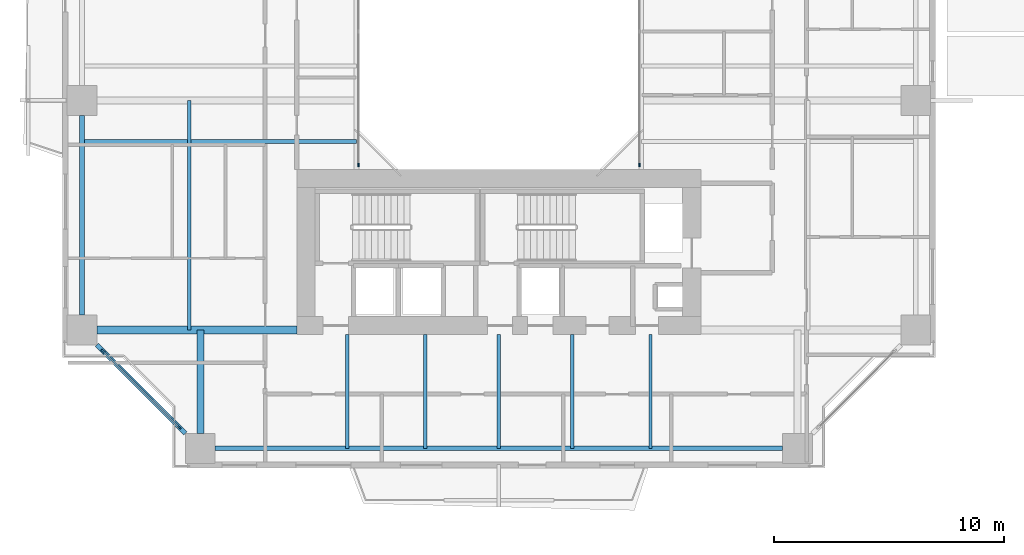
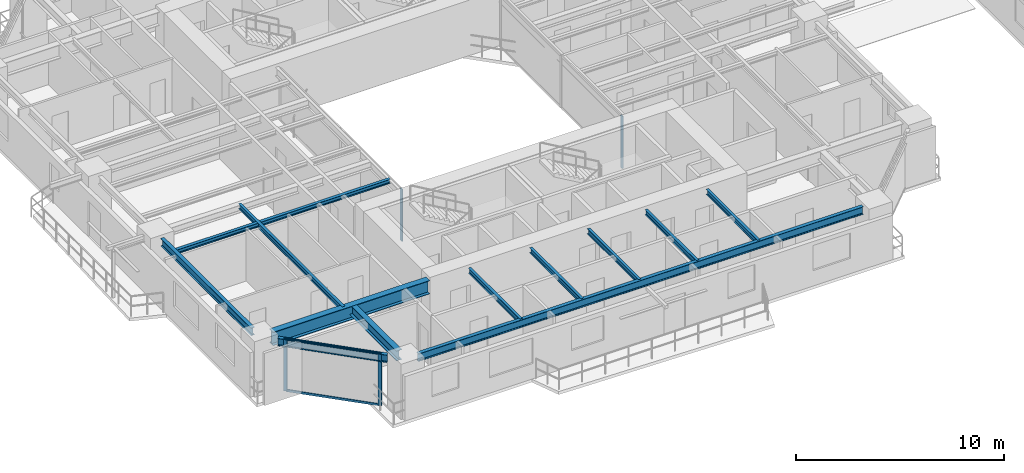
# One storey, part 2 of 23: 12 beams, 6 members, 3 elements without a shape of their own.
"""IFC4 building model written with IfcOpenShell, lengths in metres."""

from ifc_helpers import new_model, si_unit, direction, frame, origin, origin_2d, place, context, subcontext, project, spatial, rectangle, i_section, extrude, source, transform, mapped, material, layer, layer_set, material_profile, profile_set, type_object, element, aggregate, save


model = new_model("IFC4")

# Units and contexts
model_context = context("Model", 3, precision=1e-05, world=origin(), true_north=direction((0.0, 1.0)))
body_context = subcontext(model_context, "Body", "Model", "MODEL_VIEW")
ifc_project = project(units=[si_unit("LENGTHUNIT", "METRE"), si_unit("AREAUNIT", "SQUARE_METRE"), si_unit("VOLUMEUNIT", "CUBIC_METRE"), si_unit("PLANEANGLEUNIT", "RADIAN"), si_unit("MASSUNIT", "GRAM", prefix="KILO"), si_unit("THERMODYNAMICTEMPERATUREUNIT", "KELVIN"), si_unit("POWERUNIT", "WATT")], contexts=[model_context])

# Site, building, storey
site_placement = place(None, origin())
site = spatial("IfcSite", under=ifc_project, at=site_placement, CompositionType="ELEMENT")
building_placement = place(site_placement, origin())
building = spatial("IfcBuilding", under=site, at=building_placement, Name="Qiaomeng Ring Towers", CompositionType="ELEMENT")
storey_placement = place(building_placement, frame((0.0, 0.0, 50.25)))
storey = spatial("IfcBuildingStorey", under=building, at=storey_placement, Name="L13", CompositionType="ELEMENT", Elevation=50.25)

# Beams
ifc_material_1 = material(Name="Steel Q355B", Category="steel")
ifc_material_profile_1 = material_profile(ifc_material_1, i_section(OverallWidth=0.199951171875, OverallDepth=0.449951171875, WebThickness=0.009033203125, FlangeThickness=0.013916015625, FilletRadius=0.01806640625, at=origin_2d()), Name="HN 450x200x9x14")
ifc_profile_set_1 = profile_set([ifc_material_profile_1], Name="Steel Q355B")
beam_type_1 = type_object("IfcBeamType", Name="STR-BM-HN450", PredefinedType="SPANDREL", material=ifc_profile_set_1)
shared_shape_1 = source(origin(), body_context, "Body", "SweptSolid", [
    extrude(i_section(OverallWidth=0.199951171875, OverallDepth=0.449951171875, WebThickness=0.009033203125, FlangeThickness=0.013916015625, FilletRadius=0.01806640625, at=origin_2d()), origin(), (0.0, 0.0, 1.0), 24.7021484375),
])
beam_1_placement = place(storey_placement, frame((6.64892578125, 4.85009765625, 2.844970703125), z_axis=(1.0, 0.0, 0.0), x_axis=(0.0, 1.0, 0.0)))
element("IfcBeam", 1, at=beam_1_placement, inside=storey, type_object=beam_type_1, Name="L13 beam STR-SP-L13-T1-S1-S2", PredefinedType="SPANDREL", context=body_context, shape_type="MappedRepresentation", body=[
    mapped(shared_shape_1, transform((0.0, 0.0, 0.0), x_axis=(1.0, 0.0, 0.0), y_axis=(0.0, 1.0, 0.0), z_axis=(0.0, 0.0, 1.0), scale=1.0)),
])
shared_shape_2 = source(origin(), body_context, "Body", "SweptSolid", [
    extrude(i_section(OverallWidth=0.199951171875, OverallDepth=0.449951171875, WebThickness=0.009033203125, FlangeThickness=0.013916015625, FilletRadius=0.01806640625, at=origin_2d()), origin(), (0.0, 0.0, 1.0), 5.446533203125),
])
beam_2_placement = place(storey_placement, frame((1.499267578125, 9.3505859375, 2.844970703125), z_axis=(0.707106781187, -0.707106781187, 0.0), x_axis=(0.707106781187, 0.707106781187, 0.0)))
element("IfcBeam", 2, at=beam_2_placement, inside=storey, type_object=beam_type_1, Name="L13 beam STR-SP-L13-T1-W1-S1", PredefinedType="SPANDREL", context=body_context, shape_type="MappedRepresentation", body=[
    mapped(shared_shape_2, transform((0.0, 0.0, 0.0), x_axis=(1.0, 0.0, 0.0), y_axis=(0.0, 1.0, 0.0), z_axis=(0.0, 0.0, 1.0), scale=1.0)),
])
shared_shape_3 = source(origin(), body_context, "Body", "SweptSolid", [
    extrude(i_section(OverallWidth=0.199951171875, OverallDepth=0.449951171875, WebThickness=0.009033203125, FlangeThickness=0.013916015625, FilletRadius=0.01806640625, at=origin_2d()), origin(), (0.0, 0.0, 1.0), 8.7021484375),
])
beam_3_placement = place(storey_placement, frame((0.85009765625, 19.35107421875, 2.844970703125), z_axis=(0.0, -1.0, 0.0), x_axis=(1.0, 0.0, 0.0)))
element("IfcBeam", 3, at=beam_3_placement, inside=storey, type_object=beam_type_1, Name="L13 beam STR-SP-L13-T1-W2-W1", PredefinedType="SPANDREL", context=body_context, shape_type="MappedRepresentation", body=[
    mapped(shared_shape_3, transform((0.0, 0.0, 0.0), x_axis=(1.0, 0.0, 0.0), y_axis=(0.0, 1.0, 0.0), z_axis=(0.0, 0.0, 1.0), scale=1.0)),
])
ifc_material_2 = material(Name="Steel Q390GJC", Category="steel")
ifc_material_profile_2 = material_profile(ifc_material_2, i_section(OverallWidth=0.35009765625, OverallDepth=0.800048828125, WebThickness=0.01611328125, FlangeThickness=0.028076171875, at=origin_2d()), Name="WH 800x350x16x28")
ifc_profile_set_2 = profile_set([ifc_material_profile_2], Name="Steel Q390GJC")
beam_type_2 = type_object("IfcBeamType", Name="STR-BM-WH800", PredefinedType="BEAM", material=ifc_profile_set_2)
shared_shape_4 = source(origin(), body_context, "Body", "SweptSolid", [
    extrude(i_section(OverallWidth=0.35009765625, OverallDepth=0.800048828125, WebThickness=0.01611328125, FlangeThickness=0.028076171875, at=origin_2d()), origin(), (0.0, 0.0, 1.0), 8.700927734375),
])
beam_4_placement = place(storey_placement, frame((1.4990234375, 10.0, 2.669921875), z_axis=(1.0, 0.0, 0.0), x_axis=(0.0, 1.0, 0.0)))
element("IfcBeam", 4, at=beam_4_placement, inside=storey, type_object=beam_type_2, Name="L13 beam STR-BM-L13-T1-RAD-W1", PredefinedType="BEAM", context=body_context, shape_type="MappedRepresentation", body=[
    mapped(shared_shape_4, transform((0.0, 0.0, 0.0), x_axis=(1.0, 0.0, 0.0), y_axis=(0.0, 1.0, 0.0), z_axis=(0.0, 0.0, 1.0), scale=1.0)),
])
ifc_material_profile_3 = material_profile(ifc_material_1, i_section(OverallWidth=0.300048828125, OverallDepth=0.587890625, WebThickness=0.011962890625, FlangeThickness=0.02001953125, FilletRadius=0.028076171875, at=origin_2d()), Name="HM 588x300x12x20")
ifc_profile_set_3 = profile_set([ifc_material_profile_3], Name="Steel Q355B")
beam_type_3 = type_object("IfcBeamType", Name="STR-BM-HM588", PredefinedType="BEAM", material=ifc_profile_set_3)
shared_shape_5 = source(origin(), body_context, "Body", "SweptSolid", [
    extrude(i_section(OverallWidth=0.300048828125, OverallDepth=0.587890625, WebThickness=0.011962890625, FlangeThickness=0.02001953125, FilletRadius=0.028076171875, at=origin_2d()), origin(), (0.0, 0.0, 1.0), 4.5009765625),
])
beam_5_placement = place(storey_placement, frame((6.0, 5.4990234375, 2.77587890625), z_axis=(0.0, 1.0, 0.0), x_axis=(-1.0, 0.0, 0.0)))
element("IfcBeam", 5, at=beam_5_placement, inside=storey, type_object=beam_type_3, Name="L13 beam STR-BM-L13-T1-RAD-S1", PredefinedType="BEAM", context=body_context, shape_type="MappedRepresentation", body=[
    mapped(shared_shape_5, transform((0.0, 0.0, 0.0), x_axis=(1.0, 0.0, 0.0), y_axis=(0.0, 1.0, 0.0), z_axis=(0.0, 0.0, 1.0), scale=1.0)),
])
ifc_material_profile_4 = material_profile(ifc_material_1, i_section(OverallWidth=0.14990234375, OverallDepth=0.300048828125, WebThickness=0.006591796875, FlangeThickness=0.009033203125, FilletRadius=0.012939453125, at=origin_2d()), Name="HN 300x150x6.5x9")
ifc_profile_set_4 = profile_set([ifc_material_profile_4], Name="Steel Q355B")
beam_type_4 = type_object("IfcBeamType", Name="STR-BM-HN300", PredefinedType="JOIST", material=ifc_profile_set_4)
shared_shape_6 = source(origin(), body_context, "Body", "SweptSolid", [
    extrude(i_section(OverallWidth=0.14990234375, OverallDepth=0.300048828125, WebThickness=0.006591796875, FlangeThickness=0.009033203125, FilletRadius=0.012939453125, at=origin_2d()), origin(), (0.0, 0.0, 1.0), 4.949951171875),
])
for number, where, z_axis, x_axis, name in (
    (6, (12.39990234375, 4.85009765625, 2.919921875), (0.0, 1.0, 0.0), (-1.0, 0.0, 0.0), "L13 beam STR-JST-L13-T1S-1"),
    (7, (15.800048828125, 4.85009765625, 2.919921875), (0.0, 1.0, 0.0), (-1.0, 0.0, 0.0), "L13 beam STR-JST-L13-T1S-2"),
    (8, (19.0, 4.85009765625, 2.919921875), (0.0, 1.0, 0.0), (-1.0, 0.0, 0.0), "L13 beam STR-JST-L13-T1S-3"),
    (9, (22.199951171875, 4.85009765625, 2.919921875), (0.0, 1.0, 0.0), (-1.0, 0.0, 0.0), "L13 beam STR-JST-L13-T1S-4"),
    (10, (25.60009765625, 4.85009765625, 2.919921875), (0.0, 1.0, 0.0), (-1.0, 0.0, 0.0), "L13 beam STR-JST-L13-T1S-5"),
):
    element("IfcBeam", number, at=place(storey_placement, frame(where, z_axis=z_axis, x_axis=x_axis)), inside=storey, type_object=beam_type_4, Name=name, PredefinedType="JOIST", context=body_context, shape_type="MappedRepresentation", body=[
        mapped(shared_shape_6, transform((0.0, 0.0, 0.0), x_axis=(1.0, 0.0, 0.0), y_axis=(0.0, 1.0, 0.0), z_axis=(0.0, 0.0, 1.0), scale=1.0)),
    ])
ifc_material_profile_5 = material_profile(ifc_material_1, i_section(OverallWidth=0.175048828125, OverallDepth=0.243896484375, WebThickness=0.007080078125, FlangeThickness=0.010986328125, FilletRadius=0.01611328125, at=origin_2d()), Name="HM 244x175x7x11")
ifc_profile_set_5 = profile_set([ifc_material_profile_5], Name="Steel Q355B")
beam_type_5 = type_object("IfcBeamType", Name="STR-BM-HM244", PredefinedType="JOIST", material=ifc_profile_set_5)
shared_shape_7 = source(origin(), body_context, "Body", "SweptSolid", [
    extrude(i_section(OverallWidth=0.175048828125, OverallDepth=0.243896484375, WebThickness=0.007080078125, FlangeThickness=0.010986328125, FilletRadius=0.01611328125, at=origin_2d()), origin(), (0.0, 0.0, 1.0), 11.949951171875),
])
beam_6_placement = place(storey_placement, frame((0.85009765625, 18.199951171875, 2.947998046875), z_axis=(1.0, 0.0, 0.0), x_axis=(0.0, 1.0, 0.0)))
element("IfcBeam", 11, at=beam_6_placement, inside=storey, type_object=beam_type_5, Name="L13 beam STR-JST-L13-T1W-1", PredefinedType="JOIST", context=body_context, shape_type="MappedRepresentation", body=[
    mapped(shared_shape_7, transform((0.0, 0.0, 0.0), x_axis=(1.0, 0.0, 0.0), y_axis=(0.0, 1.0, 0.0), z_axis=(0.0, 0.0, 1.0), scale=1.0)),
])
shared_shape_8 = source(origin(), body_context, "Body", "SweptSolid", [
    extrude(i_section(OverallWidth=0.14990234375, OverallDepth=0.300048828125, WebThickness=0.006591796875, FlangeThickness=0.009033203125, FilletRadius=0.012939453125, at=origin_2d()), origin(), (0.0, 0.0, 1.0), 10.0),
])
beam_7_placement = place(storey_placement, frame((5.52490234375, 10.0, 2.919921875), z_axis=(0.0, 1.0, 0.0), x_axis=(-1.0, 0.0, 0.0)))
element("IfcBeam", 12, at=beam_7_placement, inside=storey, type_object=beam_type_4, Name="L13 beam STR-JST-L13-T1C-WS", PredefinedType="JOIST", context=body_context, shape_type="MappedRepresentation", body=[
    mapped(shared_shape_8, transform((0.0, 0.0, 0.0), x_axis=(1.0, 0.0, 0.0), y_axis=(0.0, 1.0, 0.0), z_axis=(0.0, 0.0, 1.0), scale=1.0)),
])

# Curtain wall, member
ifc_material_3 = material(Name="Fluorocarbon dark-grey aluminium", Category="aluminium")
ifc_layer_1 = layer(ifc_material_3, 0.139892578125, Name="Fluorocarbon dark-grey aluminium")
ifc_layer_set_1 = layer_set([ifc_layer_1], Name="Fluorocarbon dark-grey aluminium")
curtain_wall_type_1 = type_object("IfcCurtainWallType", Name="ARC-CW-4", PredefinedType="NOTDEFINED", material=ifc_layer_set_1)
curtain_wall_1_placement = place(storey_placement, origin())
curtain_wall_1 = element("IfcCurtainWall", 13, at=curtain_wall_1_placement, inside=storey, type_object=curtain_wall_type_1, Name="L13 Curtain Wall CW4", PredefinedType="NOTDEFINED")
ifc_material_profile_6 = material_profile(ifc_material_3, rectangle(XDim=0.06494140625, YDim=0.159912109375, at=origin_2d()), Name="ALU MULL 65x160")
ifc_profile_set_6 = profile_set([ifc_material_profile_6], Name="Fluorocarbon dark-grey aluminium")
member_type_1 = type_object("IfcMemberType", Name="ARC-CWM-140", PredefinedType="MULLION", material=ifc_profile_set_6)
shared_shape_9 = source(origin(), body_context, "Body", "SweptSolid", [
    extrude(rectangle(XDim=0.06494140625, YDim=0.159912109375, at=origin_2d()), origin(), (0.0, 0.0, 1.0), 3.070068359375),
])
member_1_placement = place(storey_placement, frame((12.8798828125, 17.1826171875, 0.0), z_axis=(0.0, 0.0, 1.0), x_axis=(-1.0, 0.0, 0.0)))
member_1 = element("IfcMember", 14, at=member_1_placement, type_object=member_type_1, Name="CW4 mullion 1", PredefinedType="MULLION", context=body_context, shape_type="MappedRepresentation", body=[
    mapped(shared_shape_9, transform((0.0, 0.0, 0.0), x_axis=(1.0, 0.0, 0.0), y_axis=(0.0, 1.0, 0.0), z_axis=(0.0, 0.0, 1.0), scale=1.0)),
])
aggregate(curtain_wall_1, [member_1])

curtain_wall_2_placement = place(storey_placement, origin())
curtain_wall_2 = element("IfcCurtainWall", 15, at=curtain_wall_2_placement, inside=storey, type_object=curtain_wall_type_1, Name="L13 Curtain Wall CW4", PredefinedType="NOTDEFINED")
member_2_placement = place(storey_placement, frame((25.1201171875, 17.1826171875, 0.0), z_axis=(0.0, 0.0, 1.0), x_axis=(-1.0, 0.0, 0.0)))
member_2 = element("IfcMember", 16, at=member_2_placement, type_object=member_type_1, Name="CW4 mullion 1", PredefinedType="MULLION", context=body_context, shape_type="MappedRepresentation", body=[
    mapped(shared_shape_9, transform((0.0, 0.0, 0.0), x_axis=(1.0, 0.0, 0.0), y_axis=(0.0, 1.0, 0.0), z_axis=(0.0, 0.0, 1.0), scale=1.0)),
])
aggregate(curtain_wall_2, [member_2])

# Curtain wall, members
ifc_layer_2 = layer(ifc_material_3, 0.159912109375, Name="Fluorocarbon dark-grey aluminium")
ifc_layer_set_2 = layer_set([ifc_layer_2], Name="Fluorocarbon dark-grey aluminium")
curtain_wall_type_2 = type_object("IfcCurtainWallType", Name="ARC-CW-2", PredefinedType="NOTDEFINED", material=ifc_layer_set_2)
curtain_wall_3_placement = place(storey_placement, origin())
curtain_wall_3 = element("IfcCurtainWall", 17, at=curtain_wall_3_placement, inside=storey, type_object=curtain_wall_type_2, Name="L13 Curtain Wall CW2", PredefinedType="NOTDEFINED")
ifc_material_profile_7 = material_profile(ifc_material_3, rectangle(XDim=0.070068359375, YDim=0.179931640625, at=origin_2d()), Name="ALU MULL 70x180")
ifc_profile_set_7 = profile_set([ifc_material_profile_7], Name="Fluorocarbon dark-grey aluminium")
member_type_2 = type_object("IfcMemberType", Name="ARC-CWM-160", PredefinedType="MULLION", material=ifc_profile_set_7)
shared_shape_10 = source(origin(), body_context, "Body", "SweptSolid", [
    extrude(rectangle(XDim=0.070068359375, YDim=0.179931640625, at=origin_2d()), origin(), (0.0, 0.0, 1.0), 3.070068359375),
])
member_3_placement = place(storey_placement, frame((1.7646484375, 9.085205078125, 0.0), z_axis=(0.0, 0.0, 1.0), x_axis=(0.707106781187, 0.707106781187, 0.0)))
member_3 = element("IfcMember", 18, at=member_3_placement, type_object=member_type_2, Name="CW2 mullion 1", PredefinedType="MULLION", context=body_context, shape_type="MappedRepresentation", body=[
    mapped(shared_shape_10, transform((0.0, 0.0, 0.0), x_axis=(1.0, 0.0, 0.0), y_axis=(0.0, 1.0, 0.0), z_axis=(0.0, 0.0, 1.0), scale=1.0)),
])
member_4_placement = place(storey_placement, frame((5.085205078125, 5.7646484375, 0.0), z_axis=(0.0, 0.0, 1.0), x_axis=(0.707106781187, 0.707106781187, 0.0)))
member_4 = element("IfcMember", 19, at=member_4_placement, type_object=member_type_2, Name="CW2 mullion 2", PredefinedType="MULLION", context=body_context, shape_type="MappedRepresentation", body=[
    mapped(shared_shape_10, transform((0.0, 0.0, 0.0), x_axis=(1.0, 0.0, 0.0), y_axis=(0.0, 1.0, 0.0), z_axis=(0.0, 0.0, 1.0), scale=1.0)),
])
ifc_material_profile_8 = material_profile(ifc_material_3, rectangle(XDim=0.06494140625, YDim=0.1298828125, at=origin_2d()), Name="ALU TRAN 65x130")
ifc_profile_set_8 = profile_set([ifc_material_profile_8], Name="Fluorocarbon dark-grey aluminium")
member_type_3 = type_object("IfcMemberType", Name="ARC-CWT-120", PredefinedType="USERDEFINED", material=ifc_profile_set_8)
shared_shape_11 = source(origin(), body_context, "Body", "SweptSolid", [
    extrude(rectangle(XDim=0.06494140625, YDim=0.1298828125, at=origin_2d()), origin(), (0.0, 0.0, 1.0), 4.6259765625),
])
member_5_placement = place(storey_placement, frame((1.78955078125, 9.060546875, 0.032470703125), z_axis=(0.707106781187, -0.707106781187, 0.0), x_axis=(0.707106781187, 0.707106781187, 0.0)))
member_5 = element("IfcMember", 20, at=member_5_placement, type_object=member_type_3, Name="CW2 transom 1.1", ObjectType="TRANSOM", PredefinedType="USERDEFINED", context=body_context, shape_type="MappedRepresentation", body=[
    mapped(shared_shape_11, transform((0.0, 0.0, 0.0), x_axis=(1.0, 0.0, 0.0), y_axis=(0.0, 1.0, 0.0), z_axis=(0.0, 0.0, 1.0), scale=1.0)),
])
member_6_placement = place(storey_placement, frame((1.78955078125, 9.060546875, 3.03759765625), z_axis=(0.707106781187, -0.707106781187, 0.0), x_axis=(0.707106781187, 0.707106781187, 0.0)))
member_6 = element("IfcMember", 21, at=member_6_placement, type_object=member_type_3, Name="CW2 transom 1.2", ObjectType="TRANSOM", PredefinedType="USERDEFINED", context=body_context, shape_type="MappedRepresentation", body=[
    mapped(shared_shape_11, transform((0.0, 0.0, 0.0), x_axis=(1.0, 0.0, 0.0), y_axis=(0.0, 1.0, 0.0), z_axis=(0.0, 0.0, 1.0), scale=1.0)),
])
aggregate(curtain_wall_3, [member_3, member_4, member_5, member_6])

save(model, "model.ifc")
